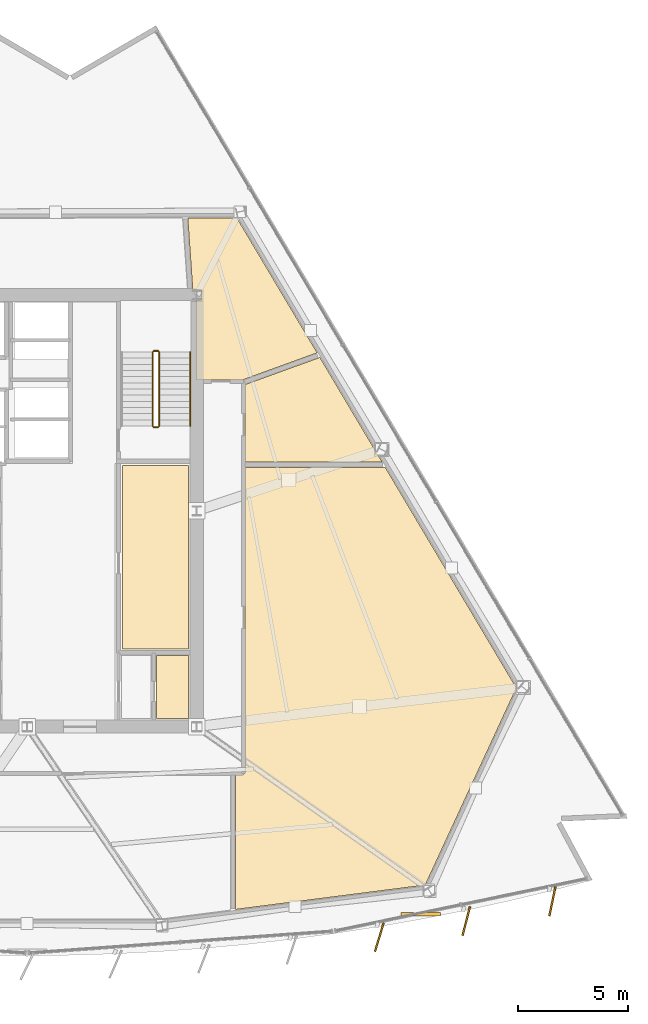
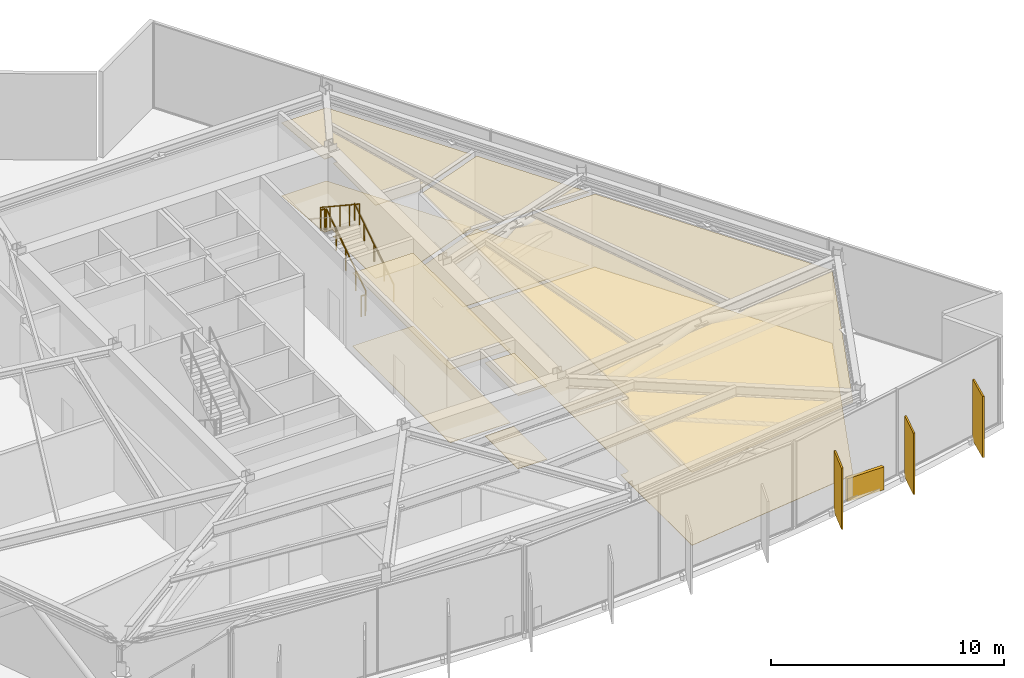
# One storey, part 13 of 14: 10 coverings, 5 railings, 4 shading devices.
"""IFC4 building model written with IfcOpenShell, lengths in metres."""

from ifc_helpers import new_model, si_unit, direction, frame, origin, origin_2d, place, context, subcontext, project, spatial, polyline, rectangle, circle, outline, extrude, material, layer, layer_set, type_object, element, save


model = new_model("IFC4")

# Units and contexts
model_context = context("Model", 3, precision=1e-05, world=origin(), true_north=direction((0.0, 1.0)))
body_context = subcontext(model_context, "Body", "Model", "MODEL_VIEW")
ifc_project = project(units=[si_unit("LENGTHUNIT", "METRE"), si_unit("AREAUNIT", "SQUARE_METRE"), si_unit("VOLUMEUNIT", "CUBIC_METRE"), si_unit("PLANEANGLEUNIT", "RADIAN"), si_unit("MASSUNIT", "GRAM", prefix="KILO")], contexts=[model_context])

# Site, building, storey
site_placement = place(None, origin())
site = spatial("IfcSite", under=ifc_project, at=site_placement, CompositionType="ELEMENT")
building_placement = place(site_placement, origin())
building = spatial("IfcBuilding", under=site, at=building_placement, Name="Savorim Split Tower", CompositionType="ELEMENT")
storey_placement = place(building_placement, frame((0.0, 0.0, 129.300048828125)))
storey = spatial("IfcBuildingStorey", under=building, at=storey_placement, Name="L34", CompositionType="ELEMENT", Elevation=129.300048828125)

# Coverings
ifc_material_1 = material(Name="Mineral Fibre Acoustic Ceiling")
ifc_layer_1 = layer(ifc_material_1, 0.02490234375)
ifc_layer_set_1 = layer_set([ifc_layer_1], Name="COV-CEIL-25")
covering_type_1 = type_object("IfcCoveringType", Name="COV-CEIL-25", PredefinedType="CEILING", material=ifc_layer_set_1)
covering_1_placement = place(storey_placement, frame((0.0, 0.0, 3.820068359375)))
element("IfcCovering", 1, at=covering_1_placement, inside=storey, type_object=covering_type_1, Name="L34 Booster Transfer Plant Room Acoustic Ceiling", PredefinedType="CEILING", context=body_context, shape_type="SweptSolid", body=[
    extrude(outline(polyline([(4.330078125, 2.469970703125), (4.330078125, -5.8701171875), (7.320068359375, -5.8701171875), (7.320068359375, 2.469970703125), (4.330078125, 2.469970703125)])), origin(), (0.0, 0.0, 1.0), 0.02490234375),
])
covering_2_placement = place(storey_placement, frame((0.0, 0.0, 3.820068359375)))
element("IfcCovering", 2, at=covering_2_placement, inside=storey, type_object=covering_type_1, Name="L34 Recycling Chute Room Acoustic Ceiling", PredefinedType="CEILING", context=body_context, shape_type="SweptSolid", body=[
    extrude(outline(polyline([(5.8798828125, -6.179931640625), (5.8798828125, -9.02001953125), (7.320068359375, -9.02001953125), (7.320068359375, -6.179931640625), (5.8798828125, -6.179931640625)])), origin(), (0.0, 0.0, 1.0), 0.02490234375),
])
covering_3_placement = place(storey_placement, frame((0.0, 0.0, 3.820068359375)))
element("IfcCovering", 3, at=covering_3_placement, inside=storey, type_object=covering_type_1, Name="L34 Refuge Area North Acoustic Ceiling", PredefinedType="CEILING", context=body_context, shape_type="SweptSolid", body=[
    extrude(outline(polyline([(9.47119140625, -17.69970703125), (18.07861328125, -16.594482421875), (22.218994140625, -7.643310546875), (16.249755859375, 2.395263671875), (16.249755859375, 2.379150390625), (9.889892578125, 2.379150390625), (9.889892578125, -11.449951171875), (9.889404296875, -11.463623046875), (9.88720703125, -11.477294921875), (9.884033203125, -11.490478515625), (9.87939453125, -11.503662109375), (9.87353515625, -11.51611328125), (9.866455078125, -11.52783203125), (9.858154296875, -11.538818359375), (9.84912109375, -11.549072265625), (9.8388671875, -11.55810546875), (9.827880859375, -11.56640625), (9.81591796875, -11.573486328125), (9.8037109375, -11.579345703125), (9.79052734375, -11.583984375), (9.77734375, -11.58740234375), (9.763671875, -11.58935546875), (9.75, -11.590087890625), (9.47119140625, -11.590087890625), (9.47119140625, -17.66455078125), (9.47119140625, -17.69970703125)])), origin(), (0.0, 0.0, 1.0), 0.02490234375),
])
covering_4_placement = place(storey_placement, frame((0.0, 0.0, 3.820068359375)))
element("IfcCovering", 4, at=covering_4_placement, inside=storey, type_object=covering_type_1, Name="L34 Refuge Area North-East Acoustic Ceiling", PredefinedType="CEILING", context=body_context, shape_type="SweptSolid", body=[
    extrude(outline(polyline([(15.896240234375, 2.9677734375), (15.896240234375, 2.989990234375), (15.867431640625, 3.0380859375), (13.294189453125, 7.365966796875), (9.919921875, 6.140625), (9.889892578125, 6.1298828125), (9.889892578125, 2.619140625), (16.11669921875, 2.619140625), (15.909423828125, 2.9677734375), (15.896240234375, 2.9677734375)])), origin(), (0.0, 0.0, 1.0), 0.02490234375),
])
covering_5_placement = place(storey_placement, frame((0.0, 0.0, 3.820068359375)))
element("IfcCovering", 5, at=covering_5_placement, inside=storey, type_object=covering_type_1, Name="L34 Refuge Area South-West Acoustic Ceiling", PredefinedType="CEILING", context=body_context, shape_type="SweptSolid", body=[
    extrude(outline(polyline([(13.142822265625, 7.56640625), (13.169189453125, 7.575927734375), (9.5224609375, 13.708984375), (7.297607421875, 13.70263671875), (7.5244140625, 10.422607421875), (7.91455078125, 10.422607421875), (7.91455078125, 9.9775390625), (7.699951171875, 9.9775390625), (7.699951171875, 6.340087890625), (9.75, 6.340087890625), (9.763671875, 6.33935546875), (9.763916015625, 6.33935546875), (13.142822265625, 7.56640625)])), origin(), (0.0, 0.0, 1.0), 0.02490234375),
])
ifc_material_2 = material(Name="Porcelain Stoneware Flooring", Category="masonry")
ifc_layer_2 = layer(ifc_material_2, 0.02001953125)
ifc_layer_set_2 = layer_set([ifc_layer_2], Name="COV-FLOR-20")
covering_type_2 = type_object("IfcCoveringType", Name="COV-FLOR-20", PredefinedType="FLOORING", material=ifc_layer_set_2)
covering_6_placement = place(storey_placement, origin())
element("IfcCovering", 6, at=covering_6_placement, inside=storey, type_object=covering_type_2, Name="L34 Booster Transfer Plant Room Porcelain Flooring", PredefinedType="FLOORING", context=body_context, shape_type="SweptSolid", body=[
    extrude(outline(polyline([(4.330078125, 2.469970703125), (4.330078125, -5.8701171875), (7.320068359375, -5.8701171875), (7.320068359375, 2.469970703125), (4.330078125, 2.469970703125)])), origin(), (0.0, 0.0, 1.0), 0.02001953125),
])
covering_7_placement = place(storey_placement, origin())
element("IfcCovering", 7, at=covering_7_placement, inside=storey, type_object=covering_type_2, Name="L34 Recycling Chute Room Porcelain Flooring", PredefinedType="FLOORING", context=body_context, shape_type="SweptSolid", body=[
    extrude(outline(polyline([(5.8798828125, -6.179931640625), (5.8798828125, -9.02001953125), (7.320068359375, -9.02001953125), (7.320068359375, -6.179931640625), (5.8798828125, -6.179931640625)])), origin(), (0.0, 0.0, 1.0), 0.02001953125),
])
covering_8_placement = place(storey_placement, origin())
element("IfcCovering", 8, at=covering_8_placement, inside=storey, type_object=covering_type_2, Name="L34 Refuge Area North Porcelain Flooring", PredefinedType="FLOORING", context=body_context, shape_type="SweptSolid", body=[
    extrude(outline(polyline([(9.47119140625, -17.69970703125), (18.07861328125, -16.594482421875), (22.218994140625, -7.643310546875), (16.249755859375, 2.395263671875), (16.249755859375, 2.379150390625), (9.889892578125, 2.379150390625), (9.889892578125, -11.449951171875), (9.889404296875, -11.463623046875), (9.88720703125, -11.477294921875), (9.884033203125, -11.490478515625), (9.87939453125, -11.503662109375), (9.87353515625, -11.51611328125), (9.866455078125, -11.52783203125), (9.858154296875, -11.538818359375), (9.84912109375, -11.549072265625), (9.8388671875, -11.55810546875), (9.827880859375, -11.56640625), (9.81591796875, -11.573486328125), (9.8037109375, -11.579345703125), (9.79052734375, -11.583984375), (9.77734375, -11.58740234375), (9.763671875, -11.58935546875), (9.75, -11.590087890625), (9.47119140625, -11.590087890625), (9.47119140625, -17.66455078125), (9.47119140625, -17.69970703125)])), origin(), (0.0, 0.0, 1.0), 0.02001953125),
])
covering_9_placement = place(storey_placement, origin())
element("IfcCovering", 9, at=covering_9_placement, inside=storey, type_object=covering_type_2, Name="L34 Refuge Area North-East Porcelain Flooring", PredefinedType="FLOORING", context=body_context, shape_type="SweptSolid", body=[
    extrude(outline(polyline([(15.896240234375, 2.9677734375), (15.896240234375, 2.989990234375), (15.867431640625, 3.0380859375), (13.294189453125, 7.365966796875), (9.919921875, 6.140625), (9.889892578125, 6.1298828125), (9.889892578125, 2.619140625), (16.11669921875, 2.619140625), (15.909423828125, 2.9677734375), (15.896240234375, 2.9677734375)])), origin(), (0.0, 0.0, 1.0), 0.02001953125),
])
covering_10_placement = place(storey_placement, origin())
element("IfcCovering", 10, at=covering_10_placement, inside=storey, type_object=covering_type_2, Name="L34 Refuge Area South-West Porcelain Flooring", PredefinedType="FLOORING", context=body_context, shape_type="SweptSolid", body=[
    extrude(outline(polyline([(13.142822265625, 7.56640625), (13.169189453125, 7.575927734375), (9.5224609375, 13.708984375), (7.297607421875, 13.70263671875), (7.5244140625, 10.422607421875), (7.91455078125, 10.422607421875), (7.91455078125, 9.9775390625), (7.699951171875, 9.9775390625), (7.699951171875, 6.340087890625), (9.75, 6.340087890625), (9.763671875, 6.33935546875), (9.763916015625, 6.33935546875), (13.142822265625, 7.56640625)])), origin(), (0.0, 0.0, 1.0), 0.02001953125),
])

# Railings
ifc_material_3 = material(Name="Galvanised Painted Steel Balustrade", Category="steel")
railing_type_1 = type_object("IfcRailingType", Name="RLG-HR-900", PredefinedType="HANDRAIL", material=ifc_material_3)
railing_1_placement = place(storey_placement, frame((7.39990234375, 4.25, 0.1845703125)))
element("IfcRailing", 11, at=railing_1_placement, inside=storey, type_object=railing_type_1, Name="L34 ST-2 stair handrail 1", PredefinedType="HANDRAIL", context=body_context, shape_type="SweptSolid", body=[
    extrude(circle(Radius=0.02392578125, at=origin_2d()), frame((0.0, 0.0, 0.8759765625), z_axis=(0.0, 0.834876476806, 0.550437342915), x_axis=(-1.0, 0.0, 0.0)), (0.0, 0.0, 1.0), 4.024658203125),
    extrude(circle(Radius=0.02099609375, at=origin_2d()), origin(), (0.0, 0.0, 1.0), 0.851806640625),
    extrude(circle(Radius=0.02099609375, at=origin_2d()), frame((0.0, 0.840087890625, 0.5537109375)), (0.0, 0.0, 1.0), 0.851806640625),
    extrude(circle(Radius=0.02099609375, at=origin_2d()), frame((0.0, 1.68017578125, 1.107666015625)), (0.0, 0.0, 1.0), 0.851806640625),
    extrude(circle(Radius=0.02099609375, at=origin_2d()), frame((0.0, 2.52001953125, 1.66162109375)), (0.0, 0.0, 1.0), 0.851806640625),
    extrude(circle(Radius=0.02099609375, at=origin_2d()), frame((0.0, 3.360107421875, 2.21533203125)), (0.0, 0.0, 1.0), 0.851806640625),
])
railing_type_2 = type_object("IfcRailingType", Name="RLG-STG-1100", PredefinedType="BALUSTRADE", material=ifc_material_3)
railing_2_placement = place(storey_placement, frame((6.0, 4.25, 0.1845703125)))
element("IfcRailing", 12, at=railing_2_placement, inside=storey, type_object=railing_type_2, Name="L34 ST-2 stair guard 1", PredefinedType="BALUSTRADE", context=body_context, shape_type="SweptSolid", body=[
    extrude(circle(Radius=0.02392578125, at=origin_2d()), frame((0.0, 0.0, 1.076171875), z_axis=(0.0, 0.834876476806, 0.550437342915), x_axis=(-1.0, 0.0, 0.0)), (0.0, 0.0, 1.0), 4.024658203125),
    extrude(circle(Radius=0.02099609375, at=origin_2d()), origin(), (0.0, 0.0, 1.0), 1.052001953125),
    extrude(circle(Radius=0.02099609375, at=origin_2d()), frame((0.0, 0.840087890625, 0.5537109375)), (0.0, 0.0, 1.0), 1.052001953125),
    extrude(circle(Radius=0.02099609375, at=origin_2d()), frame((0.0, 1.68017578125, 1.107666015625)), (0.0, 0.0, 1.0), 1.052001953125),
    extrude(circle(Radius=0.02099609375, at=origin_2d()), frame((0.0, 2.52001953125, 1.66162109375)), (0.0, 0.0, 1.0), 1.052001953125),
    extrude(circle(Radius=0.02099609375, at=origin_2d()), frame((0.0, 3.360107421875, 2.21533203125)), (0.0, 0.0, 1.0), 1.052001953125),
])
railing_3_placement = place(storey_placement, frame((5.949951171875, 7.659912109375, 2.39990234375)))
element("IfcRailing", 13, at=railing_3_placement, inside=storey, type_object=railing_type_2, Name="L34 ST-2 stair guard 2", PredefinedType="BALUSTRADE", context=body_context, shape_type="SweptSolid", body=[
    extrude(circle(Radius=0.02392578125, at=origin_2d()), frame((0.0, 0.0, 1.076171875), z_axis=(-1.0, 0.0, 0.0), x_axis=(0.0, -1.0, 0.0)), (0.0, 0.0, 1.0), 0.199951171875),
    extrude(circle(Radius=0.02099609375, at=origin_2d()), origin(), (0.0, 0.0, 1.0), 1.052001953125),
    extrude(circle(Radius=0.02099609375, at=origin_2d()), frame((-0.199951171875, 0.0, 0.0)), (0.0, 0.0, 1.0), 1.052001953125),
])
railing_4_placement = place(storey_placement, frame((5.699951171875, 7.610107421875, 2.58447265625)))
element("IfcRailing", 14, at=railing_4_placement, inside=storey, type_object=railing_type_2, Name="L34 ST-2 stair guard 3", PredefinedType="BALUSTRADE", context=body_context, shape_type="SweptSolid", body=[
    extrude(circle(Radius=0.02392578125, at=origin_2d()), frame((0.0, 0.0, 1.076171875), z_axis=(0.0, -0.834848600103, 0.550479622607), x_axis=(1.0, 0.0, 0.0)), (0.0, 0.0, 1.0), 4.02490234375),
    extrude(circle(Radius=0.02099609375, at=origin_2d()), origin(), (0.0, 0.0, 1.0), 1.052001953125),
    extrude(circle(Radius=0.02099609375, at=origin_2d()), frame((0.0, -0.840087890625, 0.553955078125)), (0.0, 0.0, 1.0), 1.052001953125),
    extrude(circle(Radius=0.02099609375, at=origin_2d()), frame((0.0, -1.68017578125, 1.10791015625)), (0.0, 0.0, 1.0), 1.052001953125),
    extrude(circle(Radius=0.02099609375, at=origin_2d()), frame((0.0, -2.52001953125, 1.66162109375)), (0.0, 0.0, 1.0), 1.052001953125),
    extrude(circle(Radius=0.02099609375, at=origin_2d()), frame((0.0, -3.360107421875, 2.215576171875)), (0.0, 0.0, 1.0), 1.052001953125),
])
railing_5_placement = place(storey_placement, frame((5.949951171875, 4.199951171875, 0.0)))
element("IfcRailing", 15, at=railing_5_placement, inside=storey, type_object=railing_type_2, Name="L34 ST-2 stair guard 4", PredefinedType="BALUSTRADE", context=body_context, shape_type="SweptSolid", body=[
    extrude(circle(Radius=0.02392578125, at=origin_2d()), frame((0.0, 0.0, 1.076171875), z_axis=(-1.0, 0.0, 0.0), x_axis=(0.0, -1.0, 0.0)), (0.0, 0.0, 1.0), 0.199951171875),
    extrude(circle(Radius=0.02099609375, at=origin_2d()), origin(), (0.0, 0.0, 1.0), 1.052001953125),
    extrude(circle(Radius=0.02099609375, at=origin_2d()), frame((-0.199951171875, 0.0, 0.0)), (0.0, 0.0, 1.0), 1.052001953125),
])

# Shading devices
ifc_material_4 = material(Name="Terracotta Ceramic-Coated Aluminium Fin", Category="masonry")
shading_device_type_1 = type_object("IfcShadingDeviceType", Name="SHD-FIN-1360", PredefinedType="USERDEFINED", material=ifc_material_4)
for number, where, z_axis, x_axis, name in (
    (16, (15.993408203125, -18.965576171875, -0.2001953125), (0.0, 0.0, 1.0), (-0.286026212504, -0.958221793616, 0.0), "L34 Sawtooth Shading Fin 11"),
    (17, (19.94140625, -18.22998046875, -0.2001953125), (0.0, 0.0, 1.0), (-0.246581250663, -0.969122121727, 0.0), "L34 Sawtooth Shading Fin 12"),
    (18, (23.85595703125, -17.333740234375, -0.2001953125), (0.0, 0.0, 1.0), (-0.206721626106, -0.978399800337, 0.0), "L34 Sawtooth Shading Fin 13"),
):
    element("IfcShadingDevice", number, at=place(storey_placement, frame(where, z_axis=z_axis, x_axis=x_axis)), inside=storey, type_object=shading_device_type_1, Name=name, ObjectType="FIN", PredefinedType="USERDEFINED", context=body_context, shape_type="SweptSolid", body=[
        extrude(rectangle(XDim=1.360107421875, YDim=0.080078125, at=origin_2d()), origin(), (0.0, 0.0, 1.0), 3.199951171875),
    ])
ifc_material_5 = material(Name="Charcoal Anodised Aluminium", Category="aluminium")
shading_device_type_2 = type_object("IfcShadingDeviceType", Name="SHD-LVR-1800", PredefinedType="USERDEFINED", material=ifc_material_5)
shading_device_placement = place(storey_placement, frame((17.8837890625, -17.93017578125, -0.14990234375), z_axis=(0.0, 0.0, 1.0), x_axis=(1.0, 0.0, 0.0)))
element("IfcShadingDevice", 19, at=shading_device_placement, inside=storey, type_object=shading_device_type_2, Name="L34 Plant Acoustic Louvre 3", ObjectType="LOUVRE", PredefinedType="USERDEFINED", context=body_context, shape_type="SweptSolid", body=[
    extrude(rectangle(XDim=1.800048828125, YDim=0.159912109375, at=origin_2d()), origin(), (0.0, 0.0, 1.0), 1.199951171875),
])

save(model, "model.ifc")
